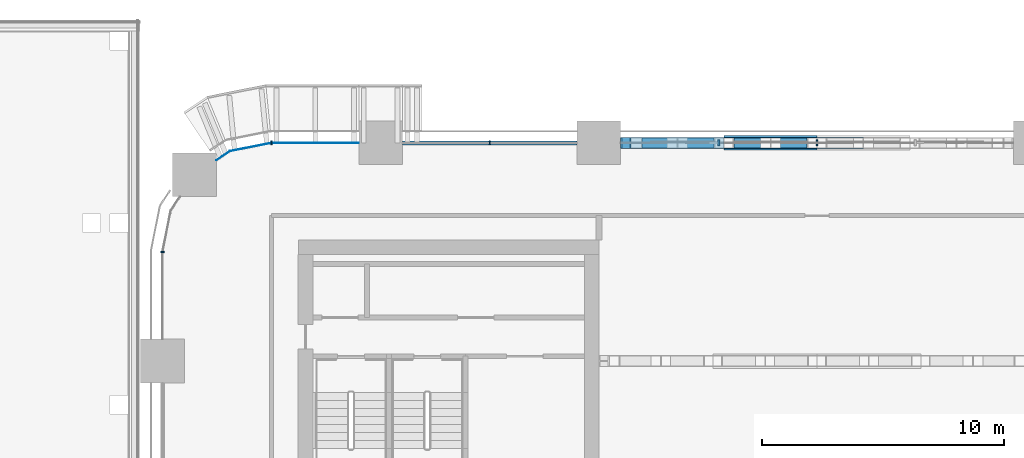
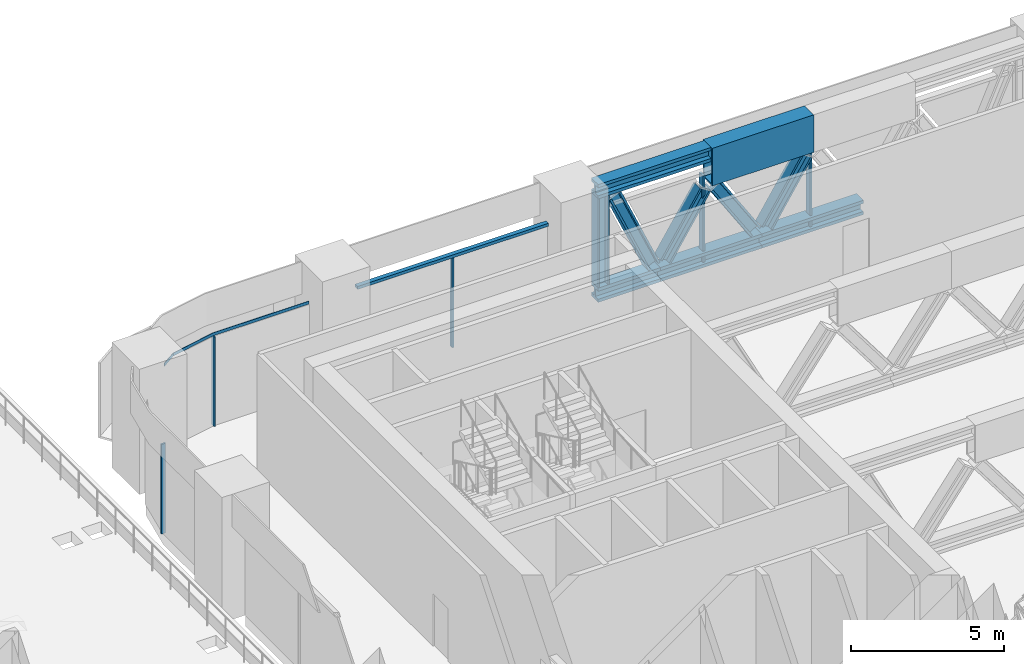
# One storey, part 8 of 35: 17 members, 4 elements without a shape of their own.
"""IFC4 building model written with IfcOpenShell, lengths in metres."""

from ifc_helpers import new_model, si_unit, direction, frame, origin, origin_2d, place, context, subcontext, project, spatial, polyline, rectangle, hollow_rectangle, i_section, outline, extrude, material, material_profile, profile_set, type_object, element, aggregate, save


model = new_model("IFC4")

# Units and contexts
model_context = context("Model", 3, precision=1e-05, world=origin(), true_north=direction((0.0, 1.0)))
body_context = subcontext(model_context, "Body", "Model", "MODEL_VIEW")
ifc_project = project(units=[si_unit("LENGTHUNIT", "METRE"), si_unit("AREAUNIT", "SQUARE_METRE"), si_unit("VOLUMEUNIT", "CUBIC_METRE"), si_unit("PLANEANGLEUNIT", "RADIAN"), si_unit("MASSUNIT", "GRAM", prefix="KILO")], contexts=[model_context])

# Site, building, storey
site_placement = place(None, origin())
site = spatial("IfcSite", under=ifc_project, at=site_placement, CompositionType="ELEMENT")
building_placement = place(site_placement, origin())
building = spatial("IfcBuilding", under=site, at=building_placement, Name="Tessera Arch", CompositionType="ELEMENT")
storey_placement = place(building_placement, frame((0.0, 0.0, 26.0)))
storey = spatial("IfcBuildingStorey", under=building, at=storey_placement, Name="L04", CompositionType="ELEMENT", Elevation=26.0)

# Curtain wall, members
ifc_material_1 = material(Name="CW4 curtain wall")
curtain_wall_type_1 = type_object("IfcCurtainWallType", Name="CW4 curtain wall", PredefinedType="NOTDEFINED", material=ifc_material_1)
curtain_wall_1_placement = place(storey_placement, origin())
curtain_wall_1 = element("IfcCurtainWall", 1, at=curtain_wall_1_placement, inside=storey, type_object=curtain_wall_type_1, Name="CW4 curtain wall N54.0/2 L04", PredefinedType="NOTDEFINED")
ifc_material_2 = material(Name="Anodised aluminium pale metal", Category="aluminium")
ifc_material_profile_1 = material_profile(ifc_material_2, rectangle(XDim=0.25, YDim=0.080078125, at=origin_2d()), Name="AL 80x250")
ifc_profile_set_1 = profile_set([ifc_material_profile_1], Name="Anodised aluminium pale metal")
member_type_1 = type_object("IfcMemberType", Name="CW4 mullion", PredefinedType="MULLION", material=ifc_profile_set_1)
member_1_placement = place(storey_placement, frame((27.0, 54.0, 0.0), z_axis=(0.0, 0.0, 1.0), x_axis=(0.0, -1.0, 0.0)))
member_1 = element("IfcMember", 2, at=member_1_placement, type_object=member_type_1, Name="CW4 mullion N54.0/2 2", PredefinedType="MULLION", context=body_context, shape_type="SweptSolid", body=[
    extrude(rectangle(XDim=0.25, YDim=0.080078125, at=origin_2d()), origin(), (0.0, 0.0, 1.0), 3.580078125),
])
member_2_placement = place(storey_placement, frame((22.949951171875, 54.0, 0.0), z_axis=(0.0, 0.0, 1.0), x_axis=(0.0, -1.0, 0.0)))
member_2 = element("IfcMember", 3, at=member_2_placement, type_object=member_type_1, Name="CW4 mullion N54.0/2 3", PredefinedType="MULLION", context=body_context, shape_type="SweptSolid", body=[
    extrude(rectangle(XDim=0.25, YDim=0.080078125, at=origin_2d()), origin(), (0.0, 0.0, 1.0), 3.580078125),
])
aggregate(curtain_wall_1, [member_1, member_2])

# Curtain wall, member
ifc_material_3 = material(Name="CW7 curtain wall")
curtain_wall_type_2 = type_object("IfcCurtainWallType", Name="CW7 curtain wall", PredefinedType="NOTDEFINED", material=ifc_material_3)
curtain_wall_2_placement = place(storey_placement, origin())
curtain_wall_2 = element("IfcCurtainWall", 4, at=curtain_wall_2_placement, inside=storey, type_object=curtain_wall_type_2, Name="CW7 curtain wall N54.0/3 L04", PredefinedType="NOTDEFINED")
ifc_material_4 = material(Name="Anodised aluminium pale metal", Category="aluminium")
ifc_material_profile_2 = material_profile(ifc_material_4, rectangle(XDim=0.159912109375, YDim=0.06005859375, at=origin_2d()), Name="AL 60x160")
ifc_profile_set_2 = profile_set([ifc_material_profile_2], Name="Anodised aluminium pale metal")
member_type_2 = type_object("IfcMemberType", Name="CW7 mullion", PredefinedType="MULLION", material=ifc_profile_set_2)
member_3_placement = place(storey_placement, frame((13.5, 54.0, 0.0), z_axis=(0.0, 0.0, 1.0), x_axis=(0.0, -1.0, 0.0)))
member_3 = element("IfcMember", 5, at=member_3_placement, type_object=member_type_2, Name="CW7 mullion N54.0/3 1", PredefinedType="MULLION", context=body_context, shape_type="SweptSolid", body=[
    extrude(rectangle(XDim=0.159912109375, YDim=0.06005859375, at=origin_2d()), origin(), (0.0, 0.0, 1.0), 3.580078125),
])

curtain_wall_3_placement = place(storey_placement, origin())
curtain_wall_3 = element("IfcCurtainWall", 6, at=curtain_wall_3_placement, inside=storey, type_object=curtain_wall_type_2, Name="CW7 curtain wall N54.0/4 L04", PredefinedType="NOTDEFINED")
member_4_placement = place(storey_placement, frame((4.5, 54.0, 0.0), z_axis=(0.0, 0.0, 1.0), x_axis=(0.0, -1.0, 0.0)))
member_4 = element("IfcMember", 7, at=member_4_placement, type_object=member_type_2, Name="CW7 mullion N54.0/4 1", PredefinedType="MULLION", context=body_context, shape_type="SweptSolid", body=[
    extrude(rectangle(XDim=0.159912109375, YDim=0.06005859375, at=origin_2d()), origin(), (0.0, 0.0, 1.0), 3.580078125),
])

curtain_wall_4_placement = place(storey_placement, origin())
curtain_wall_4 = element("IfcCurtainWall", 8, at=curtain_wall_4_placement, inside=storey, type_object=curtain_wall_type_2, Name="CW7 curtain wall W0.0/0 L04", PredefinedType="NOTDEFINED")
member_5_placement = place(storey_placement, frame((0.0, 49.5, 0.0), z_axis=(0.0, 0.0, 1.0), x_axis=(1.0, 0.0, 0.0)))
member_5 = element("IfcMember", 9, at=member_5_placement, type_object=member_type_2, Name="CW7 mullion W0.0/0 1", PredefinedType="MULLION", context=body_context, shape_type="SweptSolid", body=[
    extrude(rectangle(XDim=0.159912109375, YDim=0.06005859375, at=origin_2d()), origin(), (0.0, 0.0, 1.0), 3.580078125),
])
aggregate(curtain_wall_4, [member_5])

# Member
ifc_material_5 = material(Name="Anodised aluminium pale metal", Category="aluminium")
ifc_material_profile_3 = material_profile(ifc_material_5, rectangle(XDim=0.159912109375, YDim=0.1201171875, at=origin_2d()), Name="AL 160x120")
ifc_profile_set_3 = profile_set([ifc_material_profile_3], Name="Anodised aluminium pale metal")
member_type_3 = type_object("IfcMemberType", Name="CW7 transom", PredefinedType="USERDEFINED", material=ifc_profile_set_3)
member_6_placement = place(storey_placement, frame((17.10009765625, 54.0, 3.639892578125), z_axis=(-1.0, 0.0, 0.0), x_axis=(0.0, -1.0, 0.0)))
member_6 = element("IfcMember", 10, at=member_6_placement, type_object=member_type_3, Name="CW7 transom N54.0/3 1.1", ObjectType="TRANSOM", PredefinedType="USERDEFINED", context=body_context, shape_type="SweptSolid", body=[
    extrude(rectangle(XDim=0.159912109375, YDim=0.1201171875, at=origin_2d()), origin(), (0.0, 0.0, 1.0), 7.2001953125),
])

aggregate(curtain_wall_2, [member_3, member_6])

member_7_placement = place(storey_placement, frame((0.0, 0.0, 3.580078125)))
member_7 = element("IfcMember", 11, at=member_7_placement, type_object=member_type_3, Name="CW7 transom N54.0/4 1", ObjectType="TRANSOM", PredefinedType="USERDEFINED", context=body_context, shape_type="SweptSolid", body=[
    extrude(outline(polyline([(4.5009765625, 53.989990234375), (8.10009765625, 53.989990234375), (8.10009765625, 54.010009765625), (4.4990234375, 54.010009765625), (2.77392578125, 53.6669921875), (2.21240234375, 53.29150390625), (2.2236328125, 53.27490234375), (2.78173828125, 53.648193359375), (4.5009765625, 53.989990234375)])), origin(), (0.0, 0.0, 1.0), 0.119873046875),
])

aggregate(curtain_wall_3, [member_4, member_7])

# Members
ifc_material_6 = material(Name="Steel A572 Gr50", Category="steel")
ifc_material_profile_4 = material_profile(ifc_material_6, hollow_rectangle(XDim=0.60009765625, YDim=1.5, WallThickness=0.06005859375, at=origin_2d()), Name="BOX 600x1500x60")
ifc_profile_set_4 = profile_set([ifc_material_profile_4], Name="Steel A572 Gr50")
member_type_4 = type_object("IfcMemberType", Name="Transfer truss node girder BOX 600x1500x60", PredefinedType="CHORD", material=ifc_profile_set_4)
member_8_placement = place(storey_placement, frame((23.167236328125, 54.0, 3.949951171875), z_axis=(1.0, 0.0, 0.0), x_axis=(0.0, 1.0, 0.0)))
element("IfcMember", 12, at=member_8_placement, inside=storey, type_object=member_type_4, Name="Transfer truss node girder 2", PredefinedType="CHORD", context=body_context, shape_type="SweptSolid", body=[
    extrude(hollow_rectangle(XDim=0.60009765625, YDim=1.5, WallThickness=0.06005859375, at=origin_2d()), origin(), (0.0, 0.0, 1.0), 3.832763671875),
])
ifc_material_7 = material(Name="Steel A992 Gr50", Category="steel")
ifc_material_profile_5 = material_profile(ifc_material_7, i_section(OverallWidth=0.45458984375, OverallDepth=0.56884765625, WebThickness=0.077880859375, FlangeThickness=0.124755859375, at=origin_2d()), Name="W14x730")
ifc_profile_set_5 = profile_set([ifc_material_profile_5], Name="Steel A992 Gr50")
member_type_5 = type_object("IfcMemberType", Name="Truss chord W14x730", PredefinedType="CHORD", material=ifc_profile_set_5)
member_9_placement = place(storey_placement, frame((18.900146484375, 54.0, 4.41552734375), z_axis=(1.0, 0.0, 0.0), x_axis=(0.0, 1.0, 0.0)))
element("IfcMember", 13, at=member_9_placement, inside=storey, type_object=member_type_5, Name="Transfer truss top chord 1", PredefinedType="CHORD", context=body_context, shape_type="SweptSolid", body=[
    extrude(i_section(OverallWidth=0.45458984375, OverallDepth=0.56884765625, WebThickness=0.077880859375, FlangeThickness=0.124755859375, at=origin_2d()), origin(), (0.0, 0.0, 1.0), 4.26708984375),
])
member_10_placement = place(storey_placement, frame((18.900146484375, 54.0, 0.284423828125), z_axis=(1.0, 0.0, 0.0), x_axis=(0.0, 1.0, 0.0)))
element("IfcMember", 14, at=member_10_placement, inside=storey, type_object=member_type_5, Name="Transfer truss bottom chord 1", PredefinedType="CHORD", context=body_context, shape_type="SweptSolid", body=[
    extrude(i_section(OverallWidth=0.45458984375, OverallDepth=0.56884765625, WebThickness=0.077880859375, FlangeThickness=0.124755859375, at=origin_2d()), origin(), (0.0, 0.0, 1.0), 2.3505859375),
])
member_11_placement = place(storey_placement, frame((21.250732421875, 54.0, 0.284423828125), z_axis=(1.0, 0.0, 0.0), x_axis=(0.0, 1.0, 0.0)))
element("IfcMember", 15, at=member_11_placement, inside=storey, type_object=member_type_5, Name="Transfer truss bottom chord 2", PredefinedType="CHORD", context=body_context, shape_type="SweptSolid", body=[
    extrude(i_section(OverallWidth=0.45458984375, OverallDepth=0.56884765625, WebThickness=0.077880859375, FlangeThickness=0.124755859375, at=origin_2d()), origin(), (0.0, 0.0, 1.0), 3.832763671875),
])
member_12_placement = place(storey_placement, frame((25.08349609375, 54.0, 0.284423828125), z_axis=(1.0, 0.0, 0.0), x_axis=(0.0, 1.0, 0.0)))
element("IfcMember", 16, at=member_12_placement, inside=storey, type_object=member_type_5, Name="Transfer truss bottom chord 3", PredefinedType="CHORD", context=body_context, shape_type="SweptSolid", body=[
    extrude(i_section(OverallWidth=0.45458984375, OverallDepth=0.56884765625, WebThickness=0.077880859375, FlangeThickness=0.124755859375, at=origin_2d()), origin(), (0.0, 0.0, 1.0), 3.8330078125),
])
ifc_material_8 = material(Name="Steel A992 Gr50", Category="steel")
ifc_material_profile_6 = material_profile(ifc_material_8, i_section(OverallWidth=0.424072265625, OverallDepth=0.47412109375, WebThickness=0.047607421875, FlangeThickness=0.0771484375, at=origin_2d()), Name="W14x426")
ifc_profile_set_6 = profile_set([ifc_material_profile_6], Name="Steel A992 Gr50")
member_type_6 = type_object("IfcMemberType", Name="Truss diagonal W14x426", PredefinedType="BRACE", material=ifc_profile_set_6)
member_13_placement = place(storey_placement, frame((19.558837890625, 54.0, 4.01904296875), z_axis=(0.402507504904, 0.0, -0.915416685721), x_axis=(0.0, 1.0, 0.0)))
element("IfcMember", 17, at=member_13_placement, inside=storey, type_object=member_type_6, Name="Transfer truss diagonal 1", PredefinedType="BRACE", context=body_context, shape_type="SweptSolid", body=[
    extrude(i_section(OverallWidth=0.424072265625, OverallDepth=0.47412109375, WebThickness=0.047607421875, FlangeThickness=0.0771484375, at=origin_2d()), origin(), (0.0, 0.0, 1.0), 3.646484375),
])
for number, where, z_axis, x_axis, name in (
    (18, (21.46044921875, 54.0, 0.711669921875), (0.538089832254, 0.0, 0.842887496897), (0.0, 1.0, 0.0), "Transfer truss diagonal 2"),
    (19, (23.376708984375, 54.0, 3.05712890625), (0.538089832254, 0.0, -0.842887496897), (0.0, 1.0, 0.0), "Transfer truss diagonal 3"),
    (20, (25.293212890625, 54.0, 0.711669921875), (0.538089832254, 0.0, 0.842887496897), (0.0, 1.0, 0.0), "Transfer truss diagonal 4"),
):
    element("IfcMember", number, at=place(storey_placement, frame(where, z_axis=z_axis, x_axis=x_axis)), inside=storey, type_object=member_type_6, Name=name, PredefinedType="BRACE", context=body_context, shape_type="SweptSolid", body=[
        extrude(i_section(OverallWidth=0.424072265625, OverallDepth=0.47412109375, WebThickness=0.047607421875, FlangeThickness=0.0771484375, at=origin_2d()), origin(), (0.0, 0.0, 1.0), 2.78271484375),
    ])
ifc_material_9 = material(Name="Steel A992 Gr50", Category="steel")
ifc_material_profile_7 = material_profile(ifc_material_9, i_section(OverallWidth=0.411376953125, OverallDepth=0.434326171875, WebThickness=0.035888671875, FlangeThickness=0.057373046875, at=origin_2d()), Name="W14x311")
ifc_profile_set_7 = profile_set([ifc_material_profile_7], Name="Steel A992 Gr50")
member_type_7 = type_object("IfcMemberType", Name="Truss post W14x311", PredefinedType="POST", material=ifc_profile_set_7)
member_14_placement = place(storey_placement, frame((19.1171875, 54.0, 0.56884765625), z_axis=(0.0, 0.0, 1.0), x_axis=(0.0, 1.0, 0.0)))
element("IfcMember", 21, at=member_14_placement, inside=storey, type_object=member_type_7, Name="Transfer truss end post 1", PredefinedType="POST", context=body_context, shape_type="SweptSolid", body=[
    extrude(i_section(OverallWidth=0.411376953125, OverallDepth=0.434326171875, WebThickness=0.035888671875, FlangeThickness=0.057373046875, at=origin_2d()), origin(), (0.0, 0.0, 1.0), 3.562255859375),
])

save(model, "model.ifc")
